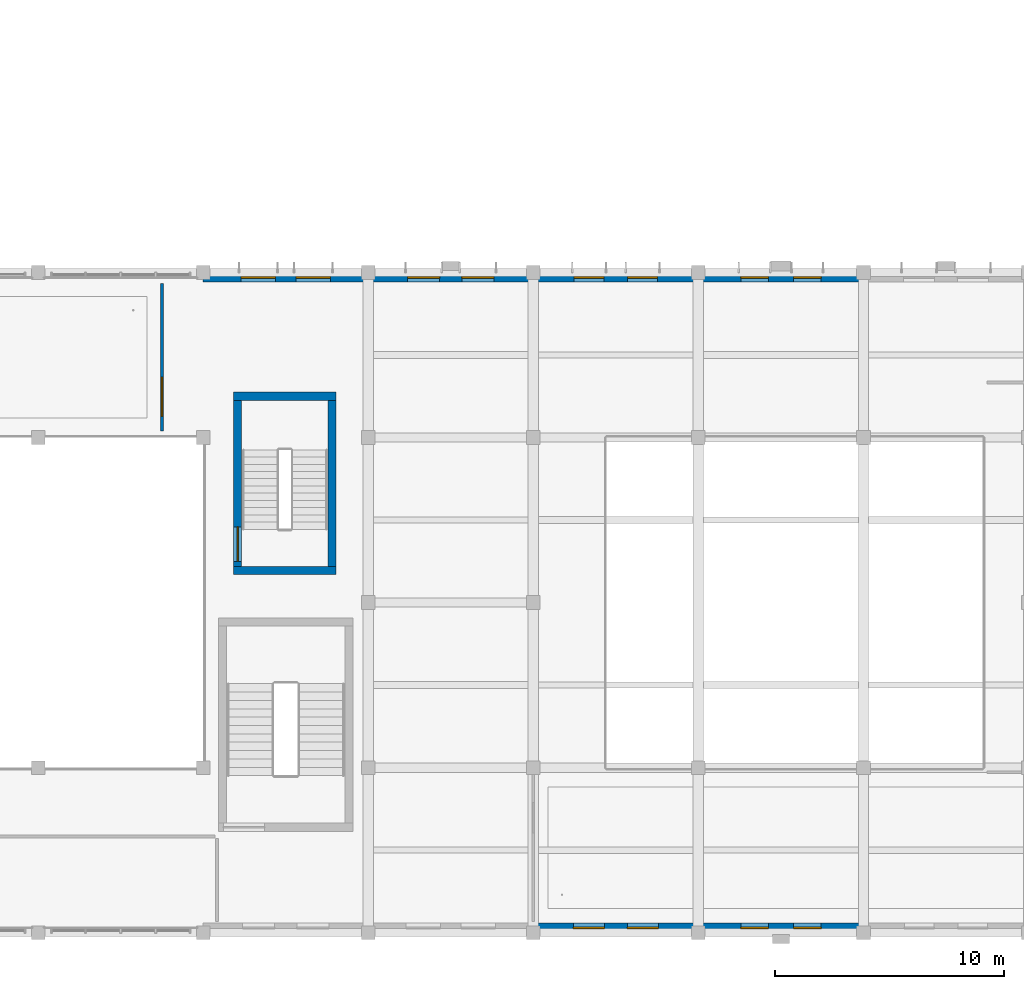
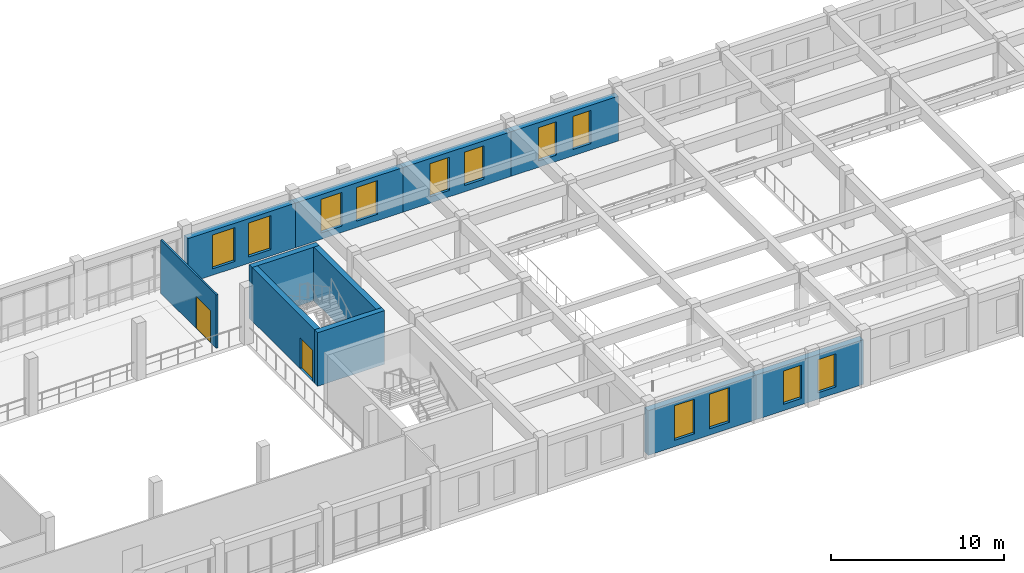
# One storey, part 45 of 88: 12 windows, 11 walls, 2 doors, 14 openings.
"""IFC4 building model written with IfcOpenShell, lengths in metres."""

from ifc_helpers import new_model, si_unit, direction, frame, frame_2d, origin, place, context, subcontext, project, spatial, rectangle, extrude, material, layer, layer_set, type_object, element, fill, save


model = new_model("IFC4")

# Units and contexts
model_context = context("Model", 3, precision=1e-05, world=origin(), true_north=direction((0.0, 1.0)))
body_context = subcontext(model_context, "Body", "Model", "MODEL_VIEW")
ifc_project = project(units=[si_unit("LENGTHUNIT", "METRE"), si_unit("AREAUNIT", "SQUARE_METRE"), si_unit("VOLUMEUNIT", "CUBIC_METRE"), si_unit("PLANEANGLEUNIT", "RADIAN"), si_unit("MASSUNIT", "GRAM", prefix="KILO")], contexts=[model_context])

# Site, building, storey
site_placement = place(None, origin())
site = spatial("IfcSite", under=ifc_project, at=site_placement, CompositionType="ELEMENT")
building_placement = place(site_placement, origin())
building = spatial("IfcBuilding", under=site, at=building_placement, Name="Alvorim Cloister Faculty of Sciences", CompositionType="ELEMENT")
storey_placement = place(building_placement, frame((0.0, 0.0, 4.5)))
storey = spatial("IfcBuildingStorey", under=building, at=storey_placement, Name="L01", CompositionType="ELEMENT", Elevation=4.5)

# Wall, openings, windows
ifc_material_1 = material(Name="Maua Grey Granite Stone", Category="masonry")
ifc_layer_1 = layer(ifc_material_1, 0.419921875)
ifc_layer_set_1 = layer_set([ifc_layer_1], Name="Maua Grey Granite Stone")
wall_type_1 = type_object("IfcWallType", Name="WL-EXT-GRN-420", PredefinedType="SOLIDWALL", material=ifc_layer_set_1)
wall_1_placement = place(storey_placement, frame((100.800048828125, 28.590087890625, 0.0), z_axis=(0.0, 0.0, 1.0), x_axis=(1.0, 0.0, 0.0)))
wall_1 = element("IfcWall", 1, at=wall_1_placement, inside=storey, type_object=wall_type_1, Name="L01 Exterior Wall WL-0130", PredefinedType="SOLIDWALL", context=body_context, shape_type="SweptSolid", body=[
    extrude(rectangle(XDim=7.199951171875, YDim=0.419921875, at=frame_2d((3.60009765625, 0.0))), origin(), (0.0, 0.0, 1.0), 3.159912109375),
])
opening_1_placement = place(wall_1_placement, frame((1.64990234375, 0.0, 0.449951171875)))
opening_1 = element("IfcOpeningElement", 2, at=opening_1_placement, cuts=wall_1, Name="Opening W-19", PredefinedType="OPENING", context=body_context, shape_type="SweptSolid", body=[
    extrude(rectangle(XDim=1.5, YDim=2.39990234375, at=frame_2d((0.75, 1.199951171875))), frame((0.0, 0.221923828125, 0.0), z_axis=(0.0, -1.0, 0.0), x_axis=(1.0, 0.0, 0.0)), (0.0, 0.0, 1.0), 0.44384765625),
])
opening_2_placement = place(wall_1_placement, frame((4.050048828125, 0.0, 0.449951171875)))
opening_2 = element("IfcOpeningElement", 3, at=opening_2_placement, cuts=wall_1, Name="Opening W-19", PredefinedType="OPENING", context=body_context, shape_type="SweptSolid", body=[
    extrude(rectangle(XDim=1.5, YDim=2.39990234375, at=frame_2d((0.75, 1.199951171875))), frame((0.0, 0.221923828125, 0.0), z_axis=(0.0, -1.0, 0.0), x_axis=(1.0, 0.0, 0.0)), (0.0, 0.0, 1.0), 0.44384765625),
])
ifc_material_2 = material(Name="Double Low-E Laminated Glass", Category="glass")
window_type_1 = type_object("IfcWindowType", Name="WN-OFF-1500x2400", PartitioningType="SINGLE_PANEL", PredefinedType="WINDOW", material=ifc_material_2)
window_1_placement = place(opening_1_placement, origin())
window_1 = element("IfcWindow", 4, at=window_1_placement, inside=storey, type_object=window_type_1, Name="L01 Gothic Lancet Window WN-0176", OverallHeight=2.39990234375, OverallWidth=1.5, PartitioningType="SINGLE_PANEL", PredefinedType="WINDOW", context=body_context, shape_type="SweptSolid", body=[
    extrude(rectangle(XDim=1.5, YDim=2.39990234375, at=frame_2d((0.75, 1.199951171875))), frame((0.0, 0.030029296875, 0.0), z_axis=(0.0, -1.0, 0.0), x_axis=(1.0, 0.0, 0.0)), (0.0, 0.0, 1.0), 0.06005859375),
])
fill(opening_1, window_1)
window_2_placement = place(opening_2_placement, origin())
window_2 = element("IfcWindow", 5, at=window_2_placement, inside=storey, type_object=window_type_1, Name="L01 Gothic Lancet Window WN-0177", OverallHeight=2.39990234375, OverallWidth=1.5, PartitioningType="SINGLE_PANEL", PredefinedType="WINDOW", context=body_context, shape_type="SweptSolid", body=[
    extrude(rectangle(XDim=1.5, YDim=2.39990234375, at=frame_2d((0.75, 1.199951171875))), frame((0.0, 0.030029296875, 0.0), z_axis=(0.0, -1.0, 0.0), x_axis=(1.0, 0.0, 0.0)), (0.0, 0.0, 1.0), 0.06005859375),
])
fill(opening_2, window_2)

wall_2_placement = place(storey_placement, frame((108.0, 28.590087890625, 0.0), z_axis=(0.0, 0.0, 1.0), x_axis=(1.0, 0.0, 0.0)))
wall_2 = element("IfcWall", 6, at=wall_2_placement, inside=storey, type_object=wall_type_1, Name="L01 Exterior Wall WL-0131", PredefinedType="SOLIDWALL", context=body_context, shape_type="SweptSolid", body=[
    extrude(rectangle(XDim=7.199951171875, YDim=0.419921875, at=frame_2d((3.60009765625, 0.0))), origin(), (0.0, 0.0, 1.0), 3.159912109375),
])
opening_3_placement = place(wall_2_placement, frame((1.716796875, 0.0, 0.449951171875)))
opening_3 = element("IfcOpeningElement", 7, at=opening_3_placement, cuts=wall_2, Name="Opening W-20", PredefinedType="OPENING", context=body_context, shape_type="SweptSolid", body=[
    extrude(rectangle(XDim=1.39990234375, YDim=2.3798828125, at=frame_2d((0.699951171875, 1.18994140625))), frame((0.0, 0.221923828125, 0.0), z_axis=(0.0, -1.0, 0.0), x_axis=(1.0, 0.0, 0.0)), (0.0, 0.0, 1.0), 0.44384765625),
])
opening_4_placement = place(wall_2_placement, frame((4.083251953125, 0.0, 0.449951171875)))
opening_4 = element("IfcOpeningElement", 8, at=opening_4_placement, cuts=wall_2, Name="Opening W-20", PredefinedType="OPENING", context=body_context, shape_type="SweptSolid", body=[
    extrude(rectangle(XDim=1.39990234375, YDim=2.3798828125, at=frame_2d((0.699951171875, 1.18994140625))), frame((0.0, 0.221923828125, 0.0), z_axis=(0.0, -1.0, 0.0), x_axis=(1.0, 0.0, 0.0)), (0.0, 0.0, 1.0), 0.44384765625),
])
window_type_2 = type_object("IfcWindowType", Name="WN-OFF-1400x2380", PartitioningType="SINGLE_PANEL", PredefinedType="WINDOW", material=ifc_material_2)
window_3_placement = place(opening_3_placement, origin())
window_3 = element("IfcWindow", 9, at=window_3_placement, inside=storey, type_object=window_type_2, Name="L01 Gothic Lancet Window WN-0178", OverallHeight=2.3798828125, OverallWidth=1.39990234375, PartitioningType="SINGLE_PANEL", PredefinedType="WINDOW", context=body_context, shape_type="SweptSolid", body=[
    extrude(rectangle(XDim=1.39990234375, YDim=2.3798828125, at=frame_2d((0.699951171875, 1.18994140625))), frame((0.0, 0.030029296875, 0.0), z_axis=(0.0, -1.0, 0.0), x_axis=(1.0, 0.0, 0.0)), (0.0, 0.0, 1.0), 0.06005859375),
])
fill(opening_3, window_3)
window_4_placement = place(opening_4_placement, origin())
window_4 = element("IfcWindow", 10, at=window_4_placement, inside=storey, type_object=window_type_2, Name="L01 Gothic Lancet Window WN-0179", OverallHeight=2.3798828125, OverallWidth=1.39990234375, PartitioningType="SINGLE_PANEL", PredefinedType="WINDOW", context=body_context, shape_type="SweptSolid", body=[
    extrude(rectangle(XDim=1.39990234375, YDim=2.3798828125, at=frame_2d((0.699951171875, 1.18994140625))), frame((0.0, 0.030029296875, 0.0), z_axis=(0.0, -1.0, 0.0), x_axis=(1.0, 0.0, 0.0)), (0.0, 0.0, 1.0), 0.06005859375),
])
fill(opening_4, window_4)

wall_3_placement = place(storey_placement, frame((115.199951171875, 28.590087890625, 0.0), z_axis=(0.0, 0.0, 1.0), x_axis=(1.0, 0.0, 0.0)))
wall_3 = element("IfcWall", 11, at=wall_3_placement, inside=storey, type_object=wall_type_1, Name="L01 Exterior Wall WL-0132", PredefinedType="SOLIDWALL", context=body_context, shape_type="SweptSolid", body=[
    extrude(rectangle(XDim=7.199951171875, YDim=0.419921875, at=frame_2d((3.60009765625, 0.0))), origin(), (0.0, 0.0, 1.0), 3.159912109375),
])
opening_5_placement = place(wall_3_placement, frame((1.783203125, 0.0, 0.449951171875)))
opening_5 = element("IfcOpeningElement", 12, at=opening_5_placement, cuts=wall_3, Name="Opening W-21", PredefinedType="OPENING", context=body_context, shape_type="SweptSolid", body=[
    extrude(rectangle(XDim=1.300048828125, YDim=2.35009765625, at=frame_2d((0.64990234375, 1.175048828125))), frame((0.0, 0.221923828125, 0.0), z_axis=(0.0, -1.0, 0.0), x_axis=(1.0, 0.0, 0.0)), (0.0, 0.0, 1.0), 0.44384765625),
])
opening_6_placement = place(wall_3_placement, frame((4.11669921875, 0.0, 0.449951171875)))
opening_6 = element("IfcOpeningElement", 13, at=opening_6_placement, cuts=wall_3, Name="Opening W-21", PredefinedType="OPENING", context=body_context, shape_type="SweptSolid", body=[
    extrude(rectangle(XDim=1.300048828125, YDim=2.35009765625, at=frame_2d((0.64990234375, 1.175048828125))), frame((0.0, 0.221923828125, 0.0), z_axis=(0.0, -1.0, 0.0), x_axis=(1.0, 0.0, 0.0)), (0.0, 0.0, 1.0), 0.44384765625),
])
window_type_3 = type_object("IfcWindowType", Name="WN-OFF-1300x2350", PartitioningType="SINGLE_PANEL", PredefinedType="WINDOW", material=ifc_material_2)
window_5_placement = place(opening_5_placement, origin())
window_5 = element("IfcWindow", 14, at=window_5_placement, inside=storey, type_object=window_type_3, Name="L01 Gothic Lancet Window WN-0180", OverallHeight=2.35009765625, OverallWidth=1.300048828125, PartitioningType="SINGLE_PANEL", PredefinedType="WINDOW", context=body_context, shape_type="SweptSolid", body=[
    extrude(rectangle(XDim=1.300048828125, YDim=2.35009765625, at=frame_2d((0.64990234375, 1.175048828125))), frame((0.0, 0.030029296875, 0.0), z_axis=(0.0, -1.0, 0.0), x_axis=(1.0, 0.0, 0.0)), (0.0, 0.0, 1.0), 0.06005859375),
])
fill(opening_5, window_5)
window_6_placement = place(opening_6_placement, origin())
window_6 = element("IfcWindow", 15, at=window_6_placement, inside=storey, type_object=window_type_3, Name="L01 Gothic Lancet Window WN-0181", OverallHeight=2.35009765625, OverallWidth=1.300048828125, PartitioningType="SINGLE_PANEL", PredefinedType="WINDOW", context=body_context, shape_type="SweptSolid", body=[
    extrude(rectangle(XDim=1.300048828125, YDim=2.35009765625, at=frame_2d((0.64990234375, 1.175048828125))), frame((0.0, 0.030029296875, 0.0), z_axis=(0.0, -1.0, 0.0), x_axis=(1.0, 0.0, 0.0)), (0.0, 0.0, 1.0), 0.06005859375),
])
fill(opening_6, window_6)

wall_4_placement = place(storey_placement, frame((122.39990234375, 28.590087890625, 0.0), z_axis=(0.0, 0.0, 1.0), x_axis=(1.0, 0.0, 0.0)))
wall_4 = element("IfcWall", 16, at=wall_4_placement, inside=storey, type_object=wall_type_1, Name="L01 Exterior Wall WL-0133", PredefinedType="SOLIDWALL", context=body_context, shape_type="SweptSolid", body=[
    extrude(rectangle(XDim=7.2001953125, YDim=0.419921875, at=frame_2d((3.60009765625, 0.0))), origin(), (0.0, 0.0, 1.0), 3.159912109375),
])
opening_7_placement = place(wall_4_placement, frame((1.85009765625, 0.0, 0.449951171875)))
opening_7 = element("IfcOpeningElement", 17, at=opening_7_placement, cuts=wall_4, Name="Opening W-22", PredefinedType="OPENING", context=body_context, shape_type="SweptSolid", body=[
    extrude(rectangle(XDim=1.199951171875, YDim=2.35009765625, at=frame_2d((0.60009765625, 1.175048828125))), frame((0.0, 0.221923828125, 0.0), z_axis=(0.0, -1.0, 0.0), x_axis=(1.0, 0.0, 0.0)), (0.0, 0.0, 1.0), 0.44384765625),
])
opening_8_placement = place(wall_4_placement, frame((4.14990234375, 0.0, 0.449951171875)))
opening_8 = element("IfcOpeningElement", 18, at=opening_8_placement, cuts=wall_4, Name="Opening W-22", PredefinedType="OPENING", context=body_context, shape_type="SweptSolid", body=[
    extrude(rectangle(XDim=1.199951171875, YDim=2.35009765625, at=frame_2d((0.60009765625, 1.175048828125))), frame((0.0, 0.221923828125, 0.0), z_axis=(0.0, -1.0, 0.0), x_axis=(1.0, 0.0, 0.0)), (0.0, 0.0, 1.0), 0.44384765625),
])
window_type_4 = type_object("IfcWindowType", Name="WN-OFF-1200x2350", PartitioningType="SINGLE_PANEL", PredefinedType="WINDOW", material=ifc_material_2)
window_7_placement = place(opening_7_placement, origin())
window_7 = element("IfcWindow", 19, at=window_7_placement, inside=storey, type_object=window_type_4, Name="L01 Gothic Lancet Window WN-0182", OverallHeight=2.35009765625, OverallWidth=1.199951171875, PartitioningType="SINGLE_PANEL", PredefinedType="WINDOW", context=body_context, shape_type="SweptSolid", body=[
    extrude(rectangle(XDim=1.199951171875, YDim=2.35009765625, at=frame_2d((0.60009765625, 1.175048828125))), frame((0.0, 0.030029296875, 0.0), z_axis=(0.0, -1.0, 0.0), x_axis=(1.0, 0.0, 0.0)), (0.0, 0.0, 1.0), 0.06005859375),
])
fill(opening_7, window_7)
window_8_placement = place(opening_8_placement, origin())
window_8 = element("IfcWindow", 20, at=window_8_placement, inside=storey, type_object=window_type_4, Name="L01 Gothic Lancet Window WN-0183", OverallHeight=2.35009765625, OverallWidth=1.199951171875, PartitioningType="SINGLE_PANEL", PredefinedType="WINDOW", context=body_context, shape_type="SweptSolid", body=[
    extrude(rectangle(XDim=1.199951171875, YDim=2.35009765625, at=frame_2d((0.60009765625, 1.175048828125))), frame((0.0, 0.030029296875, 0.0), z_axis=(0.0, -1.0, 0.0), x_axis=(1.0, 0.0, 0.0)), (0.0, 0.0, 1.0), 0.06005859375),
])
fill(opening_8, window_8)

wall_5_placement = place(storey_placement, frame((122.39990234375, 0.2099609375, 0.0), z_axis=(0.0, 0.0, 1.0), x_axis=(1.0, 0.0, 0.0)))
wall_5 = element("IfcWall", 21, at=wall_5_placement, inside=storey, type_object=wall_type_1, Name="L01 Exterior Wall WL-0148", PredefinedType="SOLIDWALL", context=body_context, shape_type="SweptSolid", body=[
    extrude(rectangle(XDim=7.2001953125, YDim=0.419921875, at=frame_2d((3.60009765625, 0.0))), origin(), (0.0, 0.0, 1.0), 3.159912109375),
])
opening_9_placement = place(wall_5_placement, frame((1.85009765625, 0.0, 0.449951171875)))
opening_9 = element("IfcOpeningElement", 22, at=opening_9_placement, cuts=wall_5, Name="Opening W-22", PredefinedType="OPENING", context=body_context, shape_type="SweptSolid", body=[
    extrude(rectangle(XDim=1.199951171875, YDim=2.35009765625, at=frame_2d((0.60009765625, 1.175048828125))), frame((0.0, 0.221923828125, 0.0), z_axis=(0.0, -1.0, 0.0), x_axis=(1.0, 0.0, 0.0)), (0.0, 0.0, 1.0), 0.44384765625),
])
opening_10_placement = place(wall_5_placement, frame((4.14990234375, 0.0, 0.449951171875)))
opening_10 = element("IfcOpeningElement", 23, at=opening_10_placement, cuts=wall_5, Name="Opening W-22", PredefinedType="OPENING", context=body_context, shape_type="SweptSolid", body=[
    extrude(rectangle(XDim=1.199951171875, YDim=2.35009765625, at=frame_2d((0.60009765625, 1.175048828125))), frame((0.0, 0.221923828125, 0.0), z_axis=(0.0, -1.0, 0.0), x_axis=(1.0, 0.0, 0.0)), (0.0, 0.0, 1.0), 0.44384765625),
])
window_9_placement = place(opening_9_placement, origin())
window_9 = element("IfcWindow", 24, at=window_9_placement, inside=storey, type_object=window_type_4, Name="L01 Gothic Lancet Window WN-0212", OverallHeight=2.35009765625, OverallWidth=1.199951171875, PartitioningType="SINGLE_PANEL", PredefinedType="WINDOW", context=body_context, shape_type="SweptSolid", body=[
    extrude(rectangle(XDim=1.199951171875, YDim=2.35009765625, at=frame_2d((0.60009765625, 1.175048828125))), frame((0.0, 0.030029296875, 0.0), z_axis=(0.0, -1.0, 0.0), x_axis=(1.0, 0.0, 0.0)), (0.0, 0.0, 1.0), 0.06005859375),
])
fill(opening_9, window_9)
window_10_placement = place(opening_10_placement, origin())
window_10 = element("IfcWindow", 25, at=window_10_placement, inside=storey, type_object=window_type_4, Name="L01 Gothic Lancet Window WN-0213", OverallHeight=2.35009765625, OverallWidth=1.199951171875, PartitioningType="SINGLE_PANEL", PredefinedType="WINDOW", context=body_context, shape_type="SweptSolid", body=[
    extrude(rectangle(XDim=1.199951171875, YDim=2.35009765625, at=frame_2d((0.60009765625, 1.175048828125))), frame((0.0, 0.030029296875, 0.0), z_axis=(0.0, -1.0, 0.0), x_axis=(1.0, 0.0, 0.0)), (0.0, 0.0, 1.0), 0.06005859375),
])
fill(opening_10, window_10)

wall_6_placement = place(storey_placement, frame((115.199951171875, 0.2099609375, 0.0), z_axis=(0.0, 0.0, 1.0), x_axis=(1.0, 0.0, 0.0)))
wall_6 = element("IfcWall", 26, at=wall_6_placement, inside=storey, type_object=wall_type_1, Name="L01 Exterior Wall WL-0149", PredefinedType="SOLIDWALL", context=body_context, shape_type="SweptSolid", body=[
    extrude(rectangle(XDim=7.199951171875, YDim=0.419921875, at=frame_2d((3.60009765625, 0.0))), origin(), (0.0, 0.0, 1.0), 3.159912109375),
])
opening_11_placement = place(wall_6_placement, frame((1.75, 0.0, 0.449951171875)))
opening_11 = element("IfcOpeningElement", 27, at=opening_11_placement, cuts=wall_6, Name="Opening W-18", PredefinedType="OPENING", context=body_context, shape_type="SweptSolid", body=[
    extrude(rectangle(XDim=1.35009765625, YDim=2.449951171875, at=frame_2d((0.675048828125, 1.22509765625))), frame((0.0, 0.221923828125, 0.0), z_axis=(0.0, -1.0, 0.0), x_axis=(1.0, 0.0, 0.0)), (0.0, 0.0, 1.0), 0.44384765625),
])
opening_12_placement = place(wall_6_placement, frame((4.10009765625, 0.0, 0.449951171875)))
opening_12 = element("IfcOpeningElement", 28, at=opening_12_placement, cuts=wall_6, Name="Opening W-18", PredefinedType="OPENING", context=body_context, shape_type="SweptSolid", body=[
    extrude(rectangle(XDim=1.35009765625, YDim=2.449951171875, at=frame_2d((0.675048828125, 1.22509765625))), frame((0.0, 0.221923828125, 0.0), z_axis=(0.0, -1.0, 0.0), x_axis=(1.0, 0.0, 0.0)), (0.0, 0.0, 1.0), 0.44384765625),
])
window_type_5 = type_object("IfcWindowType", Name="WN-LAB-1350x2450", PartitioningType="SINGLE_PANEL", PredefinedType="WINDOW", material=ifc_material_2)
window_11_placement = place(opening_11_placement, origin())
window_11 = element("IfcWindow", 29, at=window_11_placement, inside=storey, type_object=window_type_5, Name="L01 Gothic Lancet Window WN-0214", OverallHeight=2.449951171875, OverallWidth=1.35009765625, PartitioningType="SINGLE_PANEL", PredefinedType="WINDOW", context=body_context, shape_type="SweptSolid", body=[
    extrude(rectangle(XDim=1.35009765625, YDim=2.449951171875, at=frame_2d((0.675048828125, 1.22509765625))), frame((0.0, 0.030029296875, 0.0), z_axis=(0.0, -1.0, 0.0), x_axis=(1.0, 0.0, 0.0)), (0.0, 0.0, 1.0), 0.06005859375),
])
fill(opening_11, window_11)
window_12_placement = place(opening_12_placement, origin())
window_12 = element("IfcWindow", 30, at=window_12_placement, inside=storey, type_object=window_type_5, Name="L01 Gothic Lancet Window WN-0215", OverallHeight=2.449951171875, OverallWidth=1.35009765625, PartitioningType="SINGLE_PANEL", PredefinedType="WINDOW", context=body_context, shape_type="SweptSolid", body=[
    extrude(rectangle(XDim=1.35009765625, YDim=2.449951171875, at=frame_2d((0.675048828125, 1.22509765625))), frame((0.0, 0.030029296875, 0.0), z_axis=(0.0, -1.0, 0.0), x_axis=(1.0, 0.0, 0.0)), (0.0, 0.0, 1.0), 0.06005859375),
])
fill(opening_12, window_12)

# Wall, opening, door
ifc_material_3 = material(Name="Acoustic Gypsum Stud Partition", Category="gypsum")
ifc_layer_2 = layer(ifc_material_3, 0.1201171875)
ifc_layer_set_2 = layer_set([ifc_layer_2], Name="Acoustic Gypsum Stud Partition")
wall_type_2 = type_object("IfcWallType", Name="WL-PRT-120", PredefinedType="PARTITIONING", material=ifc_layer_set_2)
wall_7_placement = place(storey_placement, frame((99.0, 21.8798828125, 0.0), z_axis=(0.0, 0.0, 1.0), x_axis=(0.0, 1.0, 0.0)))
wall_7 = element("IfcWall", 31, at=wall_7_placement, inside=storey, type_object=wall_type_2, Name="L01 Atrium North Study Mezzanine Partition IWL-0533", PredefinedType="PARTITIONING", context=body_context, shape_type="SweptSolid", body=[
    extrude(rectangle(XDim=6.440185546875, YDim=0.1201171875, at=frame_2d((3.22021484375, 0.0))), origin(), (0.0, 0.0, 1.0), 3.77490234375),
])
opening_13_placement = place(wall_7_placement, frame((0.659912109375, 0.0, 0.0)))
opening_13 = element("IfcOpeningElement", 32, at=opening_13_placement, cuts=wall_7, Name="Opening D-L01-117", PredefinedType="OPENING", context=body_context, shape_type="SweptSolid", body=[
    extrude(rectangle(XDim=1.699951171875, YDim=2.280029296875, at=frame_2d((0.85009765625, 1.14013671875))), frame((0.0, 0.072021484375, 0.0), z_axis=(0.0, -1.0, 0.0), x_axis=(1.0, 0.0, 0.0)), (0.0, 0.0, 1.0), 0.14404296875),
])
ifc_material_4 = material(Name="Solid Acoustic Oak Timber", Category="wood")
door_type_1 = type_object("IfcDoorType", Name="DR-HALL-1700x2280", OperationType="NOTDEFINED", PredefinedType="DOOR", material=ifc_material_4)
door_1_placement = place(opening_13_placement, origin())
door_1 = element("IfcDoor", 33, at=door_1_placement, inside=storey, type_object=door_type_1, Name="Atrium North Study Mezzanine Door D-L01-117", OperationType="DOUBLE_DOOR_SINGLE_SWING", OverallHeight=2.280029296875, OverallWidth=1.699951171875, PredefinedType="DOOR", context=body_context, shape_type="SweptSolid", body=[
    extrude(rectangle(XDim=1.699951171875, YDim=2.280029296875, at=frame_2d((0.85009765625, 1.14013671875))), frame((0.0, 0.02490234375, 0.0), z_axis=(0.0, -1.0, 0.0), x_axis=(1.0, 0.0, 0.0)), (0.0, 0.0, 1.0), 0.050048828125),
])
fill(opening_13, door_1)

# Walls
ifc_material_5 = material(Name="Concrete C40", Category="concrete")
ifc_layer_3 = layer(ifc_material_5, 0.360107421875)
ifc_layer_set_3 = layer_set([ifc_layer_3], Name="Concrete C40")
wall_type_3 = type_object("IfcWallType", Name="WL-SHR-360", PredefinedType="SHEAR", material=ifc_layer_set_3)
for number, where, z_axis, x_axis, name in (
    (34, (102.1201171875, 15.800048828125, 0.0), (0.0, 0.0, 1.0), (1.0, 0.0, 0.0), "L01 CORE K6 Shear Wall IWL-0193"),
    (35, (102.1201171875, 23.39990234375, 0.0), (0.0, 0.0, 1.0), (1.0, 0.0, 0.0), "L01 CORE K6 Shear Wall IWL-0194"),
):
    element("IfcWall", number, at=place(storey_placement, frame(where, z_axis=z_axis, x_axis=x_axis)), inside=storey, type_object=wall_type_3, Name=name, PredefinedType="SHEAR", context=body_context, shape_type="SweptSolid", body=[
        extrude(rectangle(XDim=4.47998046875, YDim=0.360107421875, at=frame_2d((2.239990234375, 0.0))), origin(), (0.0, 0.0, 1.0), 3.7900390625),
    ])

# Wall, opening, door
wall_8_placement = place(storey_placement, frame((102.300048828125, 15.97998046875, 0.0), z_axis=(0.0, 0.0, 1.0), x_axis=(0.0, 1.0, 0.0)))
wall_8 = element("IfcWall", 36, at=wall_8_placement, inside=storey, type_object=wall_type_3, Name="L01 CORE K6 Shear Wall IWL-0195", PredefinedType="SHEAR", context=body_context, shape_type="SweptSolid", body=[
    extrude(rectangle(XDim=7.239990234375, YDim=0.360107421875, at=frame_2d((3.6201171875, 0.0))), origin(), (0.0, 0.0, 1.0), 3.7900390625),
])
opening_14_placement = place(wall_8_placement, frame((0.219970703125, 0.0, 0.0)))
opening_14 = element("IfcOpeningElement", 37, at=opening_14_placement, cuts=wall_8, Name="Opening SD-K6-L01", PredefinedType="OPENING", context=body_context, shape_type="SweptSolid", body=[
    extrude(rectangle(XDim=1.5, YDim=2.199951171875, at=frame_2d((0.75, 1.10009765625))), frame((0.0, 0.19189453125, 0.0), z_axis=(0.0, -1.0, 0.0), x_axis=(1.0, 0.0, 0.0)), (0.0, 0.0, 1.0), 0.384033203125),
])
ifc_material_6 = material(Name="Galvanised Fire-Rated Steel", Category="steel")
door_type_2 = type_object("IfcDoorType", Name="DR-STR-1500x2200", OperationType="NOTDEFINED", PredefinedType="DOOR", material=ifc_material_6)
door_2_placement = place(opening_14_placement, origin())
door_2 = element("IfcDoor", 38, at=door_2_placement, inside=storey, type_object=door_type_2, Name="L01 Stair ST-06 Fire Door SD-K6-L01", OperationType="DOUBLE_DOOR_SINGLE_SWING", OverallHeight=2.199951171875, OverallWidth=1.5, PredefinedType="DOOR", context=body_context, shape_type="SweptSolid", body=[
    extrude(rectangle(XDim=1.5, YDim=2.199951171875, at=frame_2d((0.75, 1.10009765625))), frame((0.0, 0.02490234375, 0.0), z_axis=(0.0, -1.0, 0.0), x_axis=(1.0, 0.0, 0.0)), (0.0, 0.0, 1.0), 0.050048828125),
])
fill(opening_14, door_2)

# Wall
wall_9_placement = place(storey_placement, frame((106.419921875, 15.97998046875, 0.0), z_axis=(0.0, 0.0, 1.0), x_axis=(0.0, 1.0, 0.0)))
element("IfcWall", 39, at=wall_9_placement, inside=storey, type_object=wall_type_3, Name="L01 CORE K6 Shear Wall IWL-0196", PredefinedType="SHEAR", context=body_context, shape_type="SweptSolid", body=[
    extrude(rectangle(XDim=7.239990234375, YDim=0.360107421875, at=frame_2d((3.6201171875, 0.0))), origin(), (0.0, 0.0, 1.0), 3.7900390625),
])

save(model, "model.ifc")
